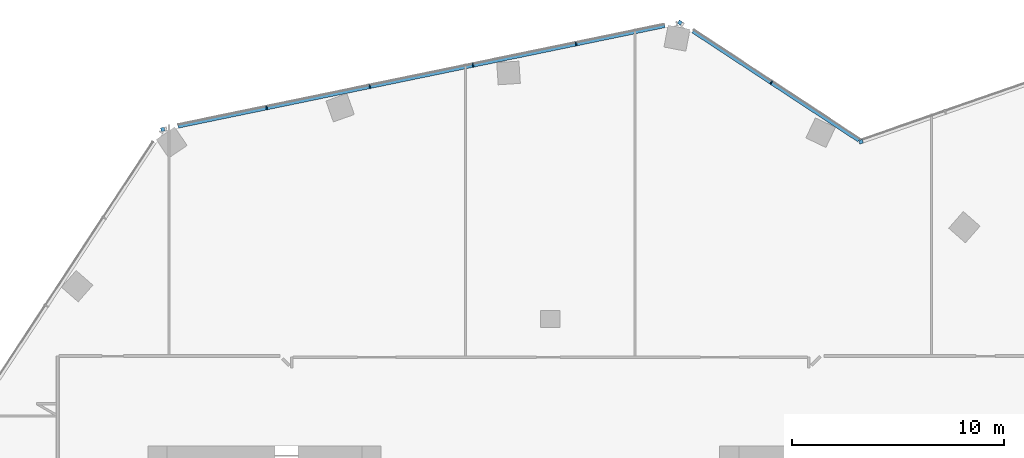
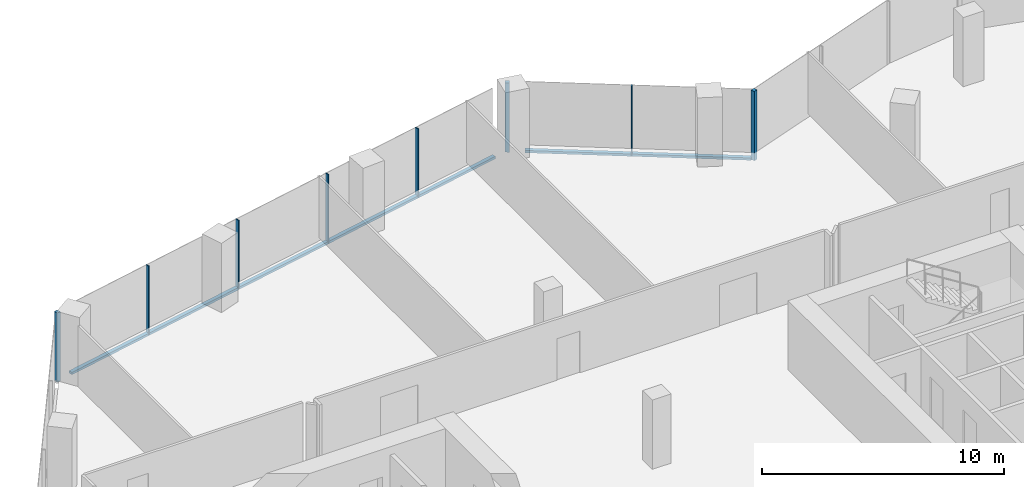
# One storey, part 10 of 24: 10 members, 3 elements without a shape of their own.
"""IFC4 building model written with IfcOpenShell, lengths in metres."""

from ifc_helpers import new_model, si_unit, direction, frame, origin, origin_2d, place, context, subcontext, project, spatial, rectangle, extrude, material, material_profile, profile_set, type_object, element, aggregate, save


model = new_model("IFC4")

# Units and contexts
model_context = context("Model", 3, precision=1e-05, world=origin(), true_north=direction((0.0, 1.0)))
body_context = subcontext(model_context, "Body", "Model", "MODEL_VIEW")
ifc_project = project(units=[si_unit("LENGTHUNIT", "METRE"), si_unit("AREAUNIT", "SQUARE_METRE"), si_unit("VOLUMEUNIT", "CUBIC_METRE"), si_unit("PLANEANGLEUNIT", "RADIAN"), si_unit("MASSUNIT", "GRAM", prefix="KILO")], contexts=[model_context])

# Site, building, storey
site_placement = place(None, origin())
site = spatial("IfcSite", under=ifc_project, at=site_placement, CompositionType="ELEMENT")
building_placement = place(site_placement, origin())
building = spatial("IfcBuilding", under=site, at=building_placement, Name="Orlundy Tower", CompositionType="ELEMENT")
storey_placement = place(building_placement, frame((0.0, 0.0, 239.0)))
storey = spatial("IfcBuildingStorey", under=building, at=storey_placement, Name="L63", CompositionType="ELEMENT", Elevation=239.0)

# Curtain wall, member
ifc_material_1 = material(Name="Aluminium bronze anodised", Category="aluminium")
curtain_wall_type = type_object("IfcCurtainWallType", Name="CW1 wall", PredefinedType="NOTDEFINED", material=ifc_material_1)
curtain_wall_1_placement = place(storey_placement, origin())
curtain_wall_1 = element("IfcCurtainWall", 1, at=curtain_wall_1_placement, inside=storey, type_object=curtain_wall_type, Name="CW1 run 016", PredefinedType="NOTDEFINED")
ifc_material_2 = material(Name="Aluminium bronze anodised", Category="aluminium")
ifc_material_profile_1 = material_profile(ifc_material_2, rectangle(XDim=0.179931640625, YDim=0.179931640625, at=origin_2d()), Name="CW1 corner post 180x180")
ifc_profile_set_1 = profile_set([ifc_material_profile_1], Name="Aluminium bronze anodised")
member_type_1 = type_object("IfcMemberType", Name="CW1 corner post 180x180", PredefinedType="MULLION", material=ifc_profile_set_1)
member_1_placement = place(storey_placement, frame((-18.290771484375, 26.947509765625, -0.39990234375), z_axis=(0.0, 0.0, 1.0), x_axis=(-0.202233038095, 0.979337428215, 0.0)))
member_1 = element("IfcMember", 2, at=member_1_placement, type_object=member_type_1, Name="CW1 mullion 32", PredefinedType="MULLION", context=body_context, shape_type="SweptSolid", body=[
    extrude(rectangle(XDim=0.179931640625, YDim=0.179931640625, at=origin_2d()), origin(), (0.0, 0.0, 1.0), 3.5),
])

curtain_wall_2_placement = place(storey_placement, origin())
curtain_wall_2 = element("IfcCurtainWall", 3, at=curtain_wall_2_placement, inside=storey, type_object=curtain_wall_type, Name="CW1 run 017", PredefinedType="NOTDEFINED")
member_2_placement = place(storey_placement, frame((6.121337890625, 31.98876953125, -0.39990234375), z_axis=(0.0, 0.0, 1.0), x_axis=(0.549481934574, 0.835505597573, 0.0)))
member_2 = element("IfcMember", 4, at=member_2_placement, type_object=member_type_1, Name="CW1 mullion 37", PredefinedType="MULLION", context=body_context, shape_type="SweptSolid", body=[
    extrude(rectangle(XDim=0.179931640625, YDim=0.179931640625, at=origin_2d()), origin(), (0.0, 0.0, 1.0), 3.5),
])

curtain_wall_3_placement = place(storey_placement, origin())
curtain_wall_3 = element("IfcCurtainWall", 5, at=curtain_wall_3_placement, inside=storey, type_object=curtain_wall_type, Name="CW1 run 018", PredefinedType="NOTDEFINED")
member_3_placement = place(storey_placement, frame((14.66845703125, 26.36767578125, -0.39990234375), z_axis=(0.0, 0.0, 1.0), x_axis=(-0.328297862498, 0.94457424985, 0.0)))
member_3 = element("IfcMember", 6, at=member_3_placement, type_object=member_type_1, Name="CW1 mullion 39", PredefinedType="MULLION", context=body_context, shape_type="SweptSolid", body=[
    extrude(rectangle(XDim=0.179931640625, YDim=0.179931640625, at=origin_2d()), origin(), (0.0, 0.0, 1.0), 3.5),
])
aggregate(curtain_wall_3, [member_3])

# Member
ifc_material_3 = material(Name="Aluminium bronze anodised", Category="aluminium")
ifc_material_profile_2 = material_profile(ifc_material_3, rectangle(XDim=0.179931640625, YDim=0.050048828125, at=origin_2d()), Name="CW1 mullion 50x180")
ifc_profile_set_2 = profile_set([ifc_material_profile_2], Name="Aluminium bronze anodised")
member_type_2 = type_object("IfcMemberType", Name="CW1 mullion 50x180", PredefinedType="MULLION", material=ifc_profile_set_2)
member_4_placement = place(storey_placement, frame((-13.386474609375, 27.96044921875, -0.39990234375), z_axis=(0.0, 0.0, 1.0), x_axis=(-0.202233038095, 0.979337428215, 0.0)))
member_4 = element("IfcMember", 7, at=member_4_placement, type_object=member_type_2, Name="CW1 mullion 33", PredefinedType="MULLION", context=body_context, shape_type="SweptSolid", body=[
    extrude(rectangle(XDim=0.179931640625, YDim=0.050048828125, at=origin_2d()), origin(), (0.0, 0.0, 1.0), 3.5),
])

member_5_placement = place(storey_placement, frame((-8.5185546875, 28.965576171875, -0.39990234375), z_axis=(0.0, 0.0, 1.0), x_axis=(-0.202233038095, 0.979337428215, 0.0)))
member_5 = element("IfcMember", 8, at=member_5_placement, type_object=member_type_2, Name="CW1 mullion 34", PredefinedType="MULLION", context=body_context, shape_type="SweptSolid", body=[
    extrude(rectangle(XDim=0.179931640625, YDim=0.050048828125, at=origin_2d()), origin(), (0.0, 0.0, 1.0), 3.5),
])

member_6_placement = place(storey_placement, frame((-3.65087890625, 29.970703125, -0.39990234375), z_axis=(0.0, 0.0, 1.0), x_axis=(-0.202233038095, 0.979337428215, 0.0)))
member_6 = element("IfcMember", 9, at=member_6_placement, type_object=member_type_2, Name="CW1 mullion 35", PredefinedType="MULLION", context=body_context, shape_type="SweptSolid", body=[
    extrude(rectangle(XDim=0.179931640625, YDim=0.050048828125, at=origin_2d()), origin(), (0.0, 0.0, 1.0), 3.5),
])

member_7_placement = place(storey_placement, frame((1.217041015625, 30.975830078125, -0.39990234375), z_axis=(0.0, 0.0, 1.0), x_axis=(-0.202233038095, 0.979337428215, 0.0)))
member_7 = element("IfcMember", 10, at=member_7_placement, type_object=member_type_2, Name="CW1 mullion 36", PredefinedType="MULLION", context=body_context, shape_type="SweptSolid", body=[
    extrude(rectangle(XDim=0.179931640625, YDim=0.050048828125, at=origin_2d()), origin(), (0.0, 0.0, 1.0), 3.5),
])

member_8_placement = place(storey_placement, frame((10.428955078125, 29.15576171875, -0.39990234375), z_axis=(0.0, 0.0, 1.0), x_axis=(0.549481934574, 0.835505597573, 0.0)))
member_8 = element("IfcMember", 11, at=member_8_placement, type_object=member_type_2, Name="CW1 mullion 38", PredefinedType="MULLION", context=body_context, shape_type="SweptSolid", body=[
    extrude(rectangle(XDim=0.179931640625, YDim=0.050048828125, at=origin_2d()), origin(), (0.0, 0.0, 1.0), 3.5),
])

ifc_material_4 = material(Name="Aluminium bronze anodised", Category="aluminium")
ifc_material_profile_3 = material_profile(ifc_material_4, rectangle(XDim=0.179931640625, YDim=0.1201171875, at=origin_2d()), Name="CW1 transom 180x120")
ifc_profile_set_3 = profile_set([ifc_material_profile_3], Name="Aluminium bronze anodised")
member_type_3 = type_object("IfcMemberType", Name="CW1 transom 180x120", PredefinedType="USERDEFINED", material=ifc_profile_set_3)
member_9_placement = place(storey_placement, frame((-17.57470703125, 27.095458984375, -0.340087890625), z_axis=(0.979336229875, 0.202238841113, 0.0), x_axis=(-0.202238841113, 0.979336229875, 0.0)))
member_9 = element("IfcMember", 12, at=member_9_placement, type_object=member_type_3, Name="CW1 transom", ObjectType="TRANSOM", PredefinedType="USERDEFINED", context=body_context, shape_type="SweptSolid", body=[
    extrude(rectangle(XDim=0.179931640625, YDim=0.1201171875, at=origin_2d()), origin(), (0.0, 0.0, 1.0), 23.46533203125),
])

aggregate(curtain_wall_1, [member_1, member_4, member_5, member_6, member_7, member_9])

member_10_placement = place(storey_placement, frame((6.731689453125, 31.587158203125, -0.340087890625), z_axis=(0.835507591398, -0.549478902886, 0.0), x_axis=(0.549478902886, 0.835507591398, 0.0)))
member_10 = element("IfcMember", 13, at=member_10_placement, type_object=member_type_3, Name="CW1 transom", ObjectType="TRANSOM", PredefinedType="USERDEFINED", context=body_context, shape_type="SweptSolid", body=[
    extrude(rectangle(XDim=0.179931640625, YDim=0.1201171875, at=origin_2d()), origin(), (0.0, 0.0, 1.0), 9.3857421875),
])

aggregate(curtain_wall_2, [member_2, member_8, member_10])

save(model, "model.ifc")
